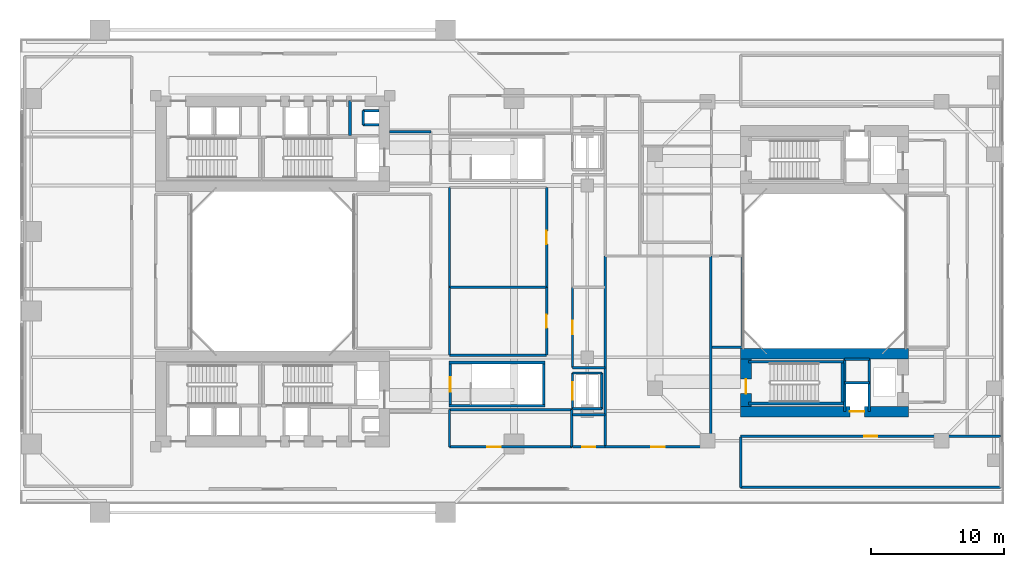
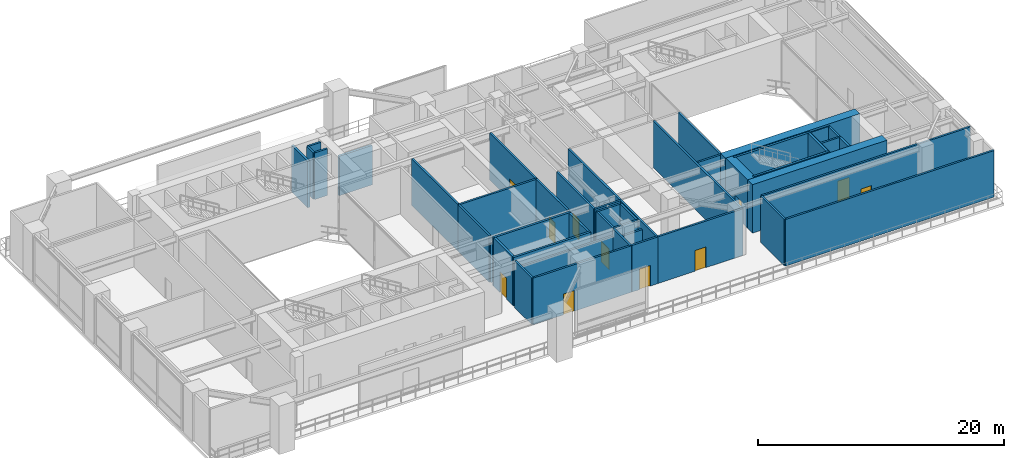
# One storey, part 13 of 19: 45 walls, 11 doors, 11 openings.
"""IFC4 building model written with IfcOpenShell, lengths in metres."""

from ifc_helpers import new_model, si_unit, direction, frame, frame_2d, origin, place, context, subcontext, project, spatial, rectangle, extrude, source, transform, mapped, material, layer, layer_set, type_object, element, fill, save


model = new_model("IFC4")

# Units and contexts
model_context = context("Model", 3, precision=1e-05, world=origin(), true_north=direction((0.0, 1.0)))
body_context = subcontext(model_context, "Body", "Model", "MODEL_VIEW")
ifc_project = project(units=[si_unit("LENGTHUNIT", "METRE"), si_unit("AREAUNIT", "SQUARE_METRE"), si_unit("VOLUMEUNIT", "CUBIC_METRE"), si_unit("PLANEANGLEUNIT", "RADIAN"), si_unit("MASSUNIT", "GRAM", prefix="KILO"), si_unit("THERMODYNAMICTEMPERATUREUNIT", "KELVIN"), si_unit("POWERUNIT", "WATT")], contexts=[model_context])

# Site, building, storey
site_placement = place(None, origin())
site = spatial("IfcSite", under=ifc_project, at=site_placement, CompositionType="ELEMENT")
building_placement = place(site_placement, origin())
building = spatial("IfcBuilding", under=site, at=building_placement, Name="Qiaomeng Ring Towers", CompositionType="ELEMENT")
storey_placement = place(building_placement, frame((0.0, 0.0, 18.199951171875)))
storey = spatial("IfcBuildingStorey", under=building, at=storey_placement, Name="L04", CompositionType="ELEMENT", Elevation=18.199951171875)

# Walls
ifc_material_1 = material(Name="Autoclaved aerated concrete block", Category="concrete")
ifc_layer_1 = layer(ifc_material_1, 0.199951171875, Name="Autoclaved aerated concrete block")
ifc_layer_set_1 = layer_set([ifc_layer_1], Name="Autoclaved aerated concrete block")
wall_type_1 = type_object("IfcWallType", Name="ARC-WL-PW1", PredefinedType="PARTITIONING", material=ifc_layer_set_1)
wall_1_placement = place(storey_placement, frame((27.800048828125, 33.5, 0.0), z_axis=(0.0, 0.0, 1.0), x_axis=(1.0, 0.0, 0.0)))
element("IfcWall", 1, at=wall_1_placement, inside=storey, type_object=wall_type_1, Name="L04 Interior Wall PW1", PredefinedType="PARTITIONING", context=body_context, shape_type="SweptSolid", body=[
    extrude(rectangle(XDim=3.099853515625, YDim=0.199951171875, at=frame_2d((1.5498046875, 0.0))), origin(), (0.0, 0.0, 1.0), 3.9150390625),
])
wall_2_placement = place(storey_placement, frame((24.820068359375, 33.199951171875, 0.0), z_axis=(0.0, 0.0, 1.0), x_axis=(0.0, 1.0, 0.0)))
element("IfcWall", 2, at=wall_2_placement, inside=storey, type_object=wall_type_1, Name="L04 Interior Wall PW1", PredefinedType="PARTITIONING", context=body_context, shape_type="SweptSolid", body=[
    extrude(rectangle(XDim=2.650146484375, YDim=0.199951171875, at=frame_2d((1.3251953125, 0.0))), origin(), (0.0, 0.0, 1.0), 4.6201171875),
])
ifc_layer_2 = layer(ifc_material_1, 0.179931640625, Name="Autoclaved aerated concrete block")
ifc_layer_set_2 = layer_set([ifc_layer_2], Name="Autoclaved aerated concrete block")
wall_type_2 = type_object("IfcWallType", Name="ARC-WL-PW2", PredefinedType="PARTITIONING", material=ifc_layer_set_2)
wall_3_placement = place(storey_placement, frame((32.300048828125, 21.800048828125, 0.0), z_axis=(0.0, 0.0, 1.0), x_axis=(1.0, 0.0, 0.0)))
element("IfcWall", 3, at=wall_3_placement, inside=storey, type_object=wall_type_2, Name="L04 Interior Wall PW2", PredefinedType="PARTITIONING", context=body_context, shape_type="SweptSolid", body=[
    extrude(rectangle(XDim=7.300048828125, YDim=0.179931640625, at=frame_2d((3.64990234375, 0.0))), origin(), (0.0, 0.0, 1.0), 4.6201171875),
])
wall_4_placement = place(storey_placement, frame((32.300048828125, 21.800048828125, 0.0), z_axis=(0.0, 0.0, 1.0), x_axis=(0.0, 1.0, 0.0)))
element("IfcWall", 4, at=wall_4_placement, inside=storey, type_object=wall_type_2, Name="L04 Interior Wall PW2", PredefinedType="PARTITIONING", context=body_context, shape_type="SweptSolid", body=[
    extrude(rectangle(XDim=7.5, YDim=0.179931640625, at=frame_2d((3.75, 0.0))), origin(), (0.0, 0.0, 1.0), 4.6201171875),
])

# Wall, opening, door
wall_5_placement = place(storey_placement, frame((39.60009765625, 21.800048828125, 0.0), z_axis=(0.0, 0.0, 1.0), x_axis=(0.0, 1.0, 0.0)))
wall_5 = element("IfcWall", 5, at=wall_5_placement, inside=storey, type_object=wall_type_2, Name="L04 Interior Wall PW2", PredefinedType="PARTITIONING", context=body_context, shape_type="SweptSolid", body=[
    extrude(rectangle(XDim=7.5, YDim=0.179931640625, at=frame_2d((3.75, 0.0))), origin(), (0.0, 0.0, 1.0), 4.6201171875),
])
opening_1_placement = place(wall_5_placement, frame((3.25, 0.0, 0.0)))
opening_1 = element("IfcOpeningElement", 6, at=opening_1_placement, cuts=wall_5, Name="Opening FD4", PredefinedType="OPENING", context=body_context, shape_type="SweptSolid", body=[
    extrude(rectangle(XDim=1.0, YDim=2.050048828125, at=frame_2d((0.5, 1.02490234375))), frame((0.0, 0.099853515625, 0.0), z_axis=(0.0, -1.0, 0.0), x_axis=(1.0, 0.0, 0.0)), (0.0, 0.0, 1.0), 0.199951171875),
])
ifc_material_2 = material(Name="Engineered fire-rated oak timber", Category="wood")
door_type_1 = type_object("IfcDoorType", Name="ARC-DR-FD4", OperationType="NOTDEFINED", PredefinedType="DOOR", material=ifc_material_2)
shared_shape_1 = source(origin(), body_context, "Body", "SweptSolid", [
    extrude(rectangle(XDim=1.0, YDim=2.050048828125, at=frame_2d((0.5, 1.02490234375))), frame((0.0, 0.02490234375, 0.0), z_axis=(0.0, -1.0, 0.0), x_axis=(1.0, 0.0, 0.0)), (0.0, 0.0, 1.0), 0.050048828125),
])
door_1_placement = place(opening_1_placement, origin())
door_1 = element("IfcDoor", 7, at=door_1_placement, inside=storey, type_object=door_type_1, Name="L04 L04 Ultrasound Diagnostic Suite Door", OperationType="SINGLE_SWING_RIGHT", OverallHeight=2.050048828125, OverallWidth=1.0, PredefinedType="DOOR", context=body_context, shape_type="MappedRepresentation", body=[
    mapped(shared_shape_1, transform((0.0, 0.0, 0.0), x_axis=(1.0, 0.0, 0.0), y_axis=(0.0, 1.0, 0.0), z_axis=(0.0, 0.0, 1.0), scale=1.0)),
])
fill(opening_1, door_1)

# Walls
wall_6_placement = place(storey_placement, frame((32.300048828125, 16.699951171875, 0.0), z_axis=(0.0, 0.0, 1.0), x_axis=(1.0, 0.0, 0.0)))
element("IfcWall", 8, at=wall_6_placement, inside=storey, type_object=wall_type_2, Name="L04 Interior Wall PW2", PredefinedType="PARTITIONING", context=body_context, shape_type="SweptSolid", body=[
    extrude(rectangle(XDim=7.300048828125, YDim=0.179931640625, at=frame_2d((3.64990234375, 0.0))), origin(), (0.0, 0.0, 1.0), 3.9150390625),
])
wall_7_placement = place(storey_placement, frame((32.300048828125, 16.699951171875, 0.0), z_axis=(0.0, 0.0, 1.0), x_axis=(0.0, 1.0, 0.0)))
element("IfcWall", 9, at=wall_7_placement, inside=storey, type_object=wall_type_2, Name="L04 Interior Wall PW2", PredefinedType="PARTITIONING", context=body_context, shape_type="SweptSolid", body=[
    extrude(rectangle(XDim=5.10009765625, YDim=0.179931640625, at=frame_2d((2.550048828125, 0.0))), origin(), (0.0, 0.0, 1.0), 4.6201171875),
])

# Wall, opening, door
wall_8_placement = place(storey_placement, frame((39.60009765625, 16.699951171875, 0.0), z_axis=(0.0, 0.0, 1.0), x_axis=(0.0, 1.0, 0.0)))
wall_8 = element("IfcWall", 10, at=wall_8_placement, inside=storey, type_object=wall_type_2, Name="L04 Interior Wall PW2", PredefinedType="PARTITIONING", context=body_context, shape_type="SweptSolid", body=[
    extrude(rectangle(XDim=5.10009765625, YDim=0.179931640625, at=frame_2d((2.550048828125, 0.0))), origin(), (0.0, 0.0, 1.0), 4.6201171875),
])
opening_2_placement = place(wall_8_placement, frame((2.050048828125, 0.0, 0.0)))
opening_2 = element("IfcOpeningElement", 11, at=opening_2_placement, cuts=wall_8, Name="Opening FD4", PredefinedType="OPENING", context=body_context, shape_type="SweptSolid", body=[
    extrude(rectangle(XDim=1.0, YDim=2.050048828125, at=frame_2d((0.5, 1.02490234375))), frame((0.0, 0.099853515625, 0.0), z_axis=(0.0, -1.0, 0.0), x_axis=(1.0, 0.0, 0.0)), (0.0, 0.0, 1.0), 0.199951171875),
])
door_2_placement = place(opening_2_placement, origin())
door_2 = element("IfcDoor", 12, at=door_2_placement, inside=storey, type_object=door_type_1, Name="L04 L04 Clinical Pathology Laboratory Door", OperationType="SINGLE_SWING_RIGHT", OverallHeight=2.050048828125, OverallWidth=1.0, PredefinedType="DOOR", context=body_context, shape_type="MappedRepresentation", body=[
    mapped(shared_shape_1, transform((0.0, 0.0, 0.0), x_axis=(1.0, 0.0, 0.0), y_axis=(0.0, 1.0, 0.0), z_axis=(0.0, 0.0, 1.0), scale=1.0)),
])
fill(opening_2, door_2)

wall_9_placement = place(storey_placement, frame((32.300048828125, 9.800048828125, 0.0), z_axis=(0.0, 0.0, 1.0), x_axis=(1.0, 0.0, 0.0)))
wall_9 = element("IfcWall", 13, at=wall_9_placement, inside=storey, type_object=wall_type_2, Name="L04 Interior Wall PW2", PredefinedType="PARTITIONING", context=body_context, shape_type="SweptSolid", body=[
    extrude(rectangle(XDim=9.199951171875, YDim=0.179931640625, at=frame_2d((4.60009765625, 0.0))), origin(), (0.0, 0.0, 1.0), 4.6201171875),
])
opening_3_placement = place(wall_9_placement, frame((2.85009765625, 0.0, 0.0)))
opening_3 = element("IfcOpeningElement", 14, at=opening_3_placement, cuts=wall_9, Name="Opening FD4", PredefinedType="OPENING", context=body_context, shape_type="SweptSolid", body=[
    extrude(rectangle(XDim=1.0, YDim=2.050048828125, at=frame_2d((0.5, 1.02490234375))), frame((0.0, 0.099853515625, 0.0), z_axis=(0.0, -1.0, 0.0), x_axis=(1.0, 0.0, 0.0)), (0.0, 0.0, 1.0), 0.199951171875),
])
door_3_placement = place(opening_3_placement, origin())
door_3 = element("IfcDoor", 15, at=door_3_placement, inside=storey, type_object=door_type_1, Name="L04 L04 Dermatology Treatment Room Door", OperationType="SINGLE_SWING_LEFT", OverallHeight=2.050048828125, OverallWidth=1.0, PredefinedType="DOOR", context=body_context, shape_type="MappedRepresentation", body=[
    mapped(shared_shape_1, transform((0.0, 0.0, 0.0), x_axis=(1.0, 0.0, 0.0), y_axis=(0.0, 1.0, 0.0), z_axis=(0.0, 0.0, 1.0), scale=1.0)),
])
fill(opening_3, door_3)

# Walls
wall_10_placement = place(storey_placement, frame((32.300048828125, 12.60009765625, 0.0), z_axis=(0.0, 0.0, 1.0), x_axis=(1.0, 0.0, 0.0)))
element("IfcWall", 16, at=wall_10_placement, inside=storey, type_object=wall_type_2, Name="L04 Interior Wall PW2", PredefinedType="PARTITIONING", context=body_context, shape_type="SweptSolid", body=[
    extrude(rectangle(XDim=9.199951171875, YDim=0.179931640625, at=frame_2d((4.60009765625, 0.0))), origin(), (0.0, 0.0, 1.0), 3.9150390625),
])
for number, where, z_axis, x_axis, name in (
    (17, (32.300048828125, 9.800048828125, 0.0), (0.0, 0.0, 1.0), (0.0, 1.0, 0.0), "L04 Interior Wall PW2"),
    (18, (41.5, 9.800048828125, 0.0), (0.0, 0.0, 1.0), (0.0, 1.0, 0.0), "L04 Interior Wall PW2"),
):
    element("IfcWall", number, at=place(storey_placement, frame(where, z_axis=z_axis, x_axis=x_axis)), inside=storey, type_object=wall_type_2, Name=name, PredefinedType="PARTITIONING", context=body_context, shape_type="SweptSolid", body=[
        extrude(rectangle(XDim=2.800048828125, YDim=0.179931640625, at=frame_2d((1.39990234375, 0.0))), origin(), (0.0, 0.0, 1.0), 4.6201171875),
    ])

# Wall, opening, door
wall_11_placement = place(storey_placement, frame((44.0, 9.800048828125, 0.0), z_axis=(0.0, 0.0, 1.0), x_axis=(1.0, 0.0, 0.0)))
wall_11 = element("IfcWall", 19, at=wall_11_placement, inside=storey, type_object=wall_type_2, Name="L04 Interior Wall PW2", PredefinedType="PARTITIONING", context=body_context, shape_type="SweptSolid", body=[
    extrude(rectangle(XDim=7.949951171875, YDim=0.179931640625, at=frame_2d((3.97509765625, 0.0))), origin(), (0.0, 0.0, 1.0), 4.6201171875),
])
opening_4_placement = place(wall_11_placement, frame((3.47509765625, 0.0, 0.0)))
opening_4 = element("IfcOpeningElement", 20, at=opening_4_placement, cuts=wall_11, Name="Opening FD4", PredefinedType="OPENING", context=body_context, shape_type="SweptSolid", body=[
    extrude(rectangle(XDim=1.0, YDim=2.050048828125, at=frame_2d((0.5, 1.02490234375))), frame((0.0, 0.099853515625, 0.0), z_axis=(0.0, -1.0, 0.0), x_axis=(1.0, 0.0, 0.0)), (0.0, 0.0, 1.0), 0.199951171875),
])
door_4_placement = place(opening_4_placement, origin())
door_4 = element("IfcDoor", 21, at=door_4_placement, inside=storey, type_object=door_type_1, Name="L04 L04 Maternal Child Health Clinic Door", OperationType="SINGLE_SWING_RIGHT", OverallHeight=2.050048828125, OverallWidth=1.0, PredefinedType="DOOR", context=body_context, shape_type="MappedRepresentation", body=[
    mapped(shared_shape_1, transform((0.0, 0.0, 0.0), x_axis=(1.0, 0.0, 0.0), y_axis=(0.0, 1.0, 0.0), z_axis=(0.0, 0.0, 1.0), scale=1.0)),
])
fill(opening_4, door_4)

# Walls
for number, where, z_axis, x_axis, name in (
    (22, (44.0, 9.800048828125, 0.0), (0.0, 0.0, 1.0), (0.0, 1.0, 0.0), "L04 Interior Wall PW2"),
    (23, (51.949951171875, 9.800048828125, 0.0), (0.0, 0.0, 1.0), (0.0, 1.0, 0.0), "L04 Interior Wall PW2"),
):
    element("IfcWall", number, at=place(storey_placement, frame(where, z_axis=z_axis, x_axis=x_axis)), inside=storey, type_object=wall_type_2, Name=name, PredefinedType="PARTITIONING", context=body_context, shape_type="SweptSolid", body=[
        extrude(rectangle(XDim=14.349853515625, YDim=0.179931640625, at=frame_2d((7.1748046875, 0.0))), origin(), (0.0, 0.0, 1.0), 4.6201171875),
    ])
wall_12_placement = place(storey_placement, frame((41.550048828125, 15.75, 0.0), z_axis=(0.0, 0.0, 1.0), x_axis=(1.0, 0.0, 0.0)))
element("IfcWall", 24, at=wall_12_placement, inside=storey, type_object=wall_type_2, Name="L04 Interior Wall PW2", PredefinedType="PARTITIONING", context=body_context, shape_type="SweptSolid", body=[
    extrude(rectangle(XDim=2.449951171875, YDim=0.179931640625, at=frame_2d((1.22509765625, 0.0))), origin(), (0.0, 0.0, 1.0), 4.6201171875),
])

# Wall, opening, door
wall_13_placement = place(storey_placement, frame((41.550048828125, 15.75, 0.0), z_axis=(0.0, 0.0, 1.0), x_axis=(0.0, 1.0, 0.0)))
wall_13 = element("IfcWall", 25, at=wall_13_placement, inside=storey, type_object=wall_type_2, Name="L04 Interior Wall PW2", PredefinedType="PARTITIONING", context=body_context, shape_type="SweptSolid", body=[
    extrude(rectangle(XDim=6.050048828125, YDim=0.179931640625, at=frame_2d((3.02490234375, 0.0))), origin(), (0.0, 0.0, 1.0), 4.6201171875),
])
opening_5_placement = place(wall_13_placement, frame((2.52490234375, 0.0, 0.0)))
opening_5 = element("IfcOpeningElement", 26, at=opening_5_placement, cuts=wall_13, Name="Opening FD4", PredefinedType="OPENING", context=body_context, shape_type="SweptSolid", body=[
    extrude(rectangle(XDim=1.0, YDim=2.050048828125, at=frame_2d((0.5, 1.02490234375))), frame((0.0, 0.099853515625, 0.0), z_axis=(0.0, -1.0, 0.0), x_axis=(1.0, 0.0, 0.0)), (0.0, 0.0, 1.0), 0.199951171875),
])
door_5_placement = place(opening_5_placement, origin())
door_5 = element("IfcDoor", 27, at=door_5_placement, inside=storey, type_object=door_type_1, Name="L04 L04 Preventive Rehabilitation Suite Door", OperationType="SINGLE_SWING_LEFT", OverallHeight=2.050048828125, OverallWidth=1.0, PredefinedType="DOOR", context=body_context, shape_type="MappedRepresentation", body=[
    mapped(shared_shape_1, transform((0.0, 0.0, 0.0), x_axis=(1.0, 0.0, 0.0), y_axis=(0.0, 1.0, 0.0), z_axis=(0.0, 0.0, 1.0), scale=1.0)),
])
fill(opening_5, door_5)

wall_14_placement = place(storey_placement, frame((41.550048828125, 9.800048828125, 0.0), z_axis=(0.0, 0.0, 1.0), x_axis=(1.0, 0.0, 0.0)))
wall_14 = element("IfcWall", 28, at=wall_14_placement, inside=storey, type_object=wall_type_2, Name="L04 Interior Wall PW2", PredefinedType="PARTITIONING", context=body_context, shape_type="SweptSolid", body=[
    extrude(rectangle(XDim=2.449951171875, YDim=0.179931640625, at=frame_2d((1.22509765625, 0.0))), origin(), (0.0, 0.0, 1.0), 4.6201171875),
])
opening_6_placement = place(wall_14_placement, frame((0.72509765625, 0.0, 0.0)))
opening_6 = element("IfcOpeningElement", 29, at=opening_6_placement, cuts=wall_14, Name="Opening FD4", PredefinedType="OPENING", context=body_context, shape_type="SweptSolid", body=[
    extrude(rectangle(XDim=1.0, YDim=2.050048828125, at=frame_2d((0.5, 1.02490234375))), frame((0.0, 0.099853515625, 0.0), z_axis=(0.0, -1.0, 0.0), x_axis=(1.0, 0.0, 0.0)), (0.0, 0.0, 1.0), 0.199951171875),
])
door_6_placement = place(opening_6_placement, origin())
door_6 = element("IfcDoor", 30, at=door_6_placement, inside=storey, type_object=door_type_1, Name="L04 L04 Medical Records Lounge Door", OperationType="SINGLE_SWING_RIGHT", OverallHeight=2.050048828125, OverallWidth=1.0, PredefinedType="DOOR", context=body_context, shape_type="MappedRepresentation", body=[
    mapped(shared_shape_1, transform((0.0, 0.0, 0.0), x_axis=(1.0, 0.0, 0.0), y_axis=(0.0, 1.0, 0.0), z_axis=(0.0, 0.0, 1.0), scale=1.0)),
])
fill(opening_6, door_6)

# Walls
wall_15_placement = place(storey_placement, frame((41.550048828125, 12.199951171875, 0.0), z_axis=(0.0, 0.0, 1.0), x_axis=(1.0, 0.0, 0.0)))
element("IfcWall", 31, at=wall_15_placement, inside=storey, type_object=wall_type_2, Name="L04 Interior Wall PW2", PredefinedType="PARTITIONING", context=body_context, shape_type="SweptSolid", body=[
    extrude(rectangle(XDim=2.449951171875, YDim=0.179931640625, at=frame_2d((1.22509765625, 0.0))), origin(), (0.0, 0.0, 1.0), 3.9150390625),
])
wall_16_placement = place(storey_placement, frame((52.050048828125, 17.300048828125, 0.0), z_axis=(0.0, 0.0, 1.0), x_axis=(1.0, 0.0, 0.0)))
element("IfcWall", 32, at=wall_16_placement, inside=storey, type_object=wall_type_2, Name="L04 Interior Wall PW2", PredefinedType="PARTITIONING", context=body_context, shape_type="SweptSolid", body=[
    extrude(rectangle(XDim=2.25, YDim=0.179931640625, at=frame_2d((1.125, 0.0))), origin(), (0.0, 0.0, 1.0), 4.6201171875),
])
wall_17_placement = place(storey_placement, frame((54.300048828125, 17.300048828125, 0.0), z_axis=(0.0, 0.0, 1.0), x_axis=(0.0, 1.0, 0.0)))
element("IfcWall", 33, at=wall_17_placement, inside=storey, type_object=wall_type_2, Name="L04 Interior Wall PW2", PredefinedType="PARTITIONING", context=body_context, shape_type="SweptSolid", body=[
    extrude(rectangle(XDim=6.849853515625, YDim=0.179931640625, at=frame_2d((3.4248046875, 0.0))), origin(), (0.0, 0.0, 1.0), 4.6201171875),
])

# Wall, opening, door
wall_18_placement = place(storey_placement, frame((54.199951171875, 10.60009765625, 0.0), z_axis=(0.0, 0.0, 1.0), x_axis=(1.0, 0.0, 0.0)))
wall_18 = element("IfcWall", 34, at=wall_18_placement, inside=storey, type_object=wall_type_2, Name="L04 Interior Wall PW2", PredefinedType="PARTITIONING", context=body_context, shape_type="SweptSolid", body=[
    extrude(rectangle(XDim=19.550048828125, YDim=0.179931640625, at=frame_2d((9.77490234375, 0.0))), origin(), (0.0, 0.0, 1.0), 4.6201171875),
])
opening_7_placement = place(wall_18_placement, frame((9.27490234375, 0.0, 0.0)))
opening_7 = element("IfcOpeningElement", 35, at=opening_7_placement, cuts=wall_18, Name="Opening FD4", PredefinedType="OPENING", context=body_context, shape_type="SweptSolid", body=[
    extrude(rectangle(XDim=1.0, YDim=2.050048828125, at=frame_2d((0.5, 1.02490234375))), frame((0.0, 0.099853515625, 0.0), z_axis=(0.0, -1.0, 0.0), x_axis=(1.0, 0.0, 0.0)), (0.0, 0.0, 1.0), 0.199951171875),
])
door_7_placement = place(opening_7_placement, origin())
door_7 = element("IfcDoor", 36, at=door_7_placement, inside=storey, type_object=door_type_1, Name="L04 L04 Wellness Reading Lounge Door", OperationType="SINGLE_SWING_RIGHT", OverallHeight=2.050048828125, OverallWidth=1.0, PredefinedType="DOOR", context=body_context, shape_type="MappedRepresentation", body=[
    mapped(shared_shape_1, transform((0.0, 0.0, 0.0), x_axis=(1.0, 0.0, 0.0), y_axis=(0.0, 1.0, 0.0), z_axis=(0.0, 0.0, 1.0), scale=1.0)),
])
fill(opening_7, door_7)

# Walls
wall_19_placement = place(storey_placement, frame((54.199951171875, 6.75, 0.0), z_axis=(0.0, 0.0, 1.0), x_axis=(1.0, 0.0, 0.0)))
element("IfcWall", 37, at=wall_19_placement, inside=storey, type_object=wall_type_2, Name="L04 Interior Wall PW2", PredefinedType="PARTITIONING", context=body_context, shape_type="SweptSolid", body=[
    extrude(rectangle(XDim=19.550048828125, YDim=0.179931640625, at=frame_2d((9.77490234375, 0.0))), origin(), (0.0, 0.0, 1.0), 4.6201171875),
])
wall_20_placement = place(storey_placement, frame((54.199951171875, 6.75, 0.0), z_axis=(0.0, 0.0, 1.0), x_axis=(0.0, 1.0, 0.0)))
element("IfcWall", 38, at=wall_20_placement, inside=storey, type_object=wall_type_2, Name="L04 Interior Wall PW2", PredefinedType="PARTITIONING", context=body_context, shape_type="SweptSolid", body=[
    extrude(rectangle(XDim=3.800048828125, YDim=0.179931640625, at=frame_2d((1.89990234375, 0.0))), origin(), (0.0, 0.0, 1.0), 4.6201171875),
])
ifc_material_3 = material(Name="Concrete C40", Category="concrete")
ifc_layer_3 = layer(ifc_material_3, 0.199951171875, Name="Concrete C40")
ifc_layer_set_3 = layer_set([ifc_layer_3], Name="Concrete C40")
wall_type_3 = type_object("IfcWallType", Name="STR-WL-STSHAFT", PredefinedType="SHEAR", material=ifc_layer_set_3)
wall_21_placement = place(storey_placement, frame((25.800048828125, 34.02001953125, 0.0), z_axis=(0.0, 0.0, 1.0), x_axis=(0.0, 1.0, 0.0)))
element("IfcWall", 39, at=wall_21_placement, inside=storey, type_object=wall_type_3, Name="L04 Riser RSR1 West Shaft Wall N", PredefinedType="SHEAR", context=body_context, shape_type="SweptSolid", body=[
    extrude(rectangle(XDim=1.06005859375, YDim=0.179931640625, at=frame_2d((0.530029296875, 0.0))), origin(), (0.0, 0.0, 1.0), 4.6201171875),
])
for number, where, z_axis, x_axis, name in (
    (40, (25.800048828125, 35.080078125, 0.0), (0.0, 0.0, 1.0), (1.0, 0.0, 0.0), "L04 Riser RSR1 North Shaft Wall N"),
    (41, (25.800048828125, 34.02001953125, 0.0), (0.0, 0.0, 1.0), (1.0, 0.0, 0.0), "L04 Riser RSR1 South Shaft Wall N"),
):
    element("IfcWall", number, at=place(storey_placement, frame(where, z_axis=z_axis, x_axis=x_axis)), inside=storey, type_object=wall_type_3, Name=name, PredefinedType="SHEAR", context=body_context, shape_type="SweptSolid", body=[
        extrude(rectangle(XDim=1.199951171875, YDim=0.179931640625, at=frame_2d((0.60009765625, 0.0))), origin(), (0.0, 0.0, 1.0), 4.6201171875),
    ])
for number, where, z_axis, x_axis, name in (
    (42, (62.02001953125, 12.449951171875, 0.0), (0.0, 0.0, 1.0), (0.0, 1.0, 0.0), "L04 Companion Lift Shaft West Wall S"),
    (43, (63.8798828125, 12.449951171875, 0.0), (0.0, 0.0, 1.0), (0.0, 1.0, 0.0), "L04 Companion Lift Shaft East Wall S"),
):
    element("IfcWall", number, at=place(storey_placement, frame(where, z_axis=z_axis, x_axis=x_axis)), inside=storey, type_object=wall_type_3, Name=name, PredefinedType="SHEAR", context=body_context, shape_type="SweptSolid", body=[
        extrude(rectangle(XDim=3.949951171875, YDim=0.179931640625, at=frame_2d((1.97509765625, 0.0))), origin(), (0.0, 0.0, 1.0), 4.6201171875),
    ])
for number, where, z_axis, x_axis, name in (
    (44, (62.02001953125, 14.6201171875, 0.0), (0.0, 0.0, 1.0), (1.0, 0.0, 0.0), "L04 Companion Lift Shaft Divider Wall S"),
    (45, (62.02001953125, 16.39990234375, 0.0), (0.0, 0.0, 1.0), (1.0, 0.0, 0.0), "L04 Companion Riser Shaft Back Wall S"),
):
    element("IfcWall", number, at=place(storey_placement, frame(where, z_axis=z_axis, x_axis=x_axis)), inside=storey, type_object=wall_type_3, Name=name, PredefinedType="SHEAR", context=body_context, shape_type="SweptSolid", body=[
        extrude(rectangle(XDim=1.85986328125, YDim=0.179931640625, at=frame_2d((0.929931640625, 0.0))), origin(), (0.0, 0.0, 1.0), 4.6201171875),
    ])

# Wall, opening, door
wall_22_placement = place(storey_placement, frame((41.550048828125, 12.64990234375, 0.0), z_axis=(0.0, 0.0, 1.0), x_axis=(0.0, 1.0, 0.0)))
wall_22 = element("IfcWall", 46, at=wall_22_placement, inside=storey, type_object=wall_type_3, Name="L04 Medical Lift LP10 West Shaft Wall", PredefinedType="SHEAR", context=body_context, shape_type="SweptSolid", body=[
    extrude(rectangle(XDim=2.7001953125, YDim=0.179931640625, at=frame_2d((1.35009765625, 0.0))), origin(), (0.0, 0.0, 1.0), 4.6201171875),
])
opening_8_placement = place(wall_22_placement, frame((0.699951171875, 0.0, 0.0)))
opening_8 = element("IfcOpeningElement", 47, at=opening_8_placement, cuts=wall_22, Name="Opening LD2", PredefinedType="OPENING", context=body_context, shape_type="SweptSolid", body=[
    extrude(rectangle(XDim=1.300048828125, YDim=2.050048828125, at=frame_2d((0.64990234375, 1.02490234375))), frame((0.0, 0.099853515625, 0.0), z_axis=(0.0, -1.0, 0.0), x_axis=(1.0, 0.0, 0.0)), (0.0, 0.0, 1.0), 0.199951171875),
])
ifc_material_4 = material(Name="Stainless steel 316", Category="steel")
door_type_2 = type_object("IfcDoorType", Name="ARC-DR-LD2", OperationType="NOTDEFINED", PredefinedType="DOOR", material=ifc_material_4)
shared_shape_2 = source(origin(), body_context, "Body", "SweptSolid", [
    extrude(rectangle(XDim=1.300048828125, YDim=2.050048828125, at=frame_2d((0.64990234375, 1.02490234375))), frame((0.0, 0.02490234375, 0.0), z_axis=(0.0, -1.0, 0.0), x_axis=(1.0, 0.0, 0.0)), (0.0, 0.0, 1.0), 0.050048828125),
])
door_8_placement = place(opening_8_placement, origin())
door_8 = element("IfcDoor", 48, at=door_8_placement, inside=storey, type_object=door_type_2, Name="L04 Medical Lift LP10 Landing Door", OperationType="SLIDING_TO_LEFT", OverallHeight=2.050048828125, OverallWidth=1.300048828125, PredefinedType="DOOR", context=body_context, shape_type="MappedRepresentation", body=[
    mapped(shared_shape_2, transform((0.0, 0.0, 0.0), x_axis=(1.0, 0.0, 0.0), y_axis=(0.0, 1.0, 0.0), z_axis=(0.0, 0.0, 1.0), scale=1.0)),
])
fill(opening_8, door_8)

# Walls
wall_23_placement = place(storey_placement, frame((43.75, 12.64990234375, 0.0), z_axis=(0.0, 0.0, 1.0), x_axis=(0.0, 1.0, 0.0)))
element("IfcWall", 49, at=wall_23_placement, inside=storey, type_object=wall_type_3, Name="L04 Medical Lift LP10 East Shaft Wall", PredefinedType="SHEAR", context=body_context, shape_type="SweptSolid", body=[
    extrude(rectangle(XDim=2.7001953125, YDim=0.179931640625, at=frame_2d((1.35009765625, 0.0))), origin(), (0.0, 0.0, 1.0), 4.6201171875),
])
for number, where, z_axis, x_axis, name in (
    (50, (41.550048828125, 12.64990234375, 0.0), (0.0, 0.0, 1.0), (1.0, 0.0, 0.0), "L04 Medical Lift LP10 South Shaft Wall"),
    (51, (41.550048828125, 15.35009765625, 0.0), (0.0, 0.0, 1.0), (1.0, 0.0, 0.0), "L04 Medical Lift LP10 North Shaft Wall"),
):
    element("IfcWall", number, at=place(storey_placement, frame(where, z_axis=z_axis, x_axis=x_axis)), inside=storey, type_object=wall_type_3, Name=name, PredefinedType="SHEAR", context=body_context, shape_type="SweptSolid", body=[
        extrude(rectangle(XDim=2.199951171875, YDim=0.179931640625, at=frame_2d((1.10009765625, 0.0))), origin(), (0.0, 0.0, 1.0), 4.6201171875),
    ])
for number, where, z_axis, x_axis, name in (
    (52, (54.800048828125, 13.06005859375, 0.0), (0.0, 0.0, 1.0), (1.0, 0.0, 0.0), "L04 Stair ST6 South Shaft Shear Wall"),
    (53, (54.800048828125, 16.199951171875, 0.0), (0.0, 0.0, 1.0), (1.0, 0.0, 0.0), "L04 Stair ST6 North Shaft Shear Wall"),
):
    element("IfcWall", number, at=place(storey_placement, frame(where, z_axis=z_axis, x_axis=x_axis)), inside=storey, type_object=wall_type_3, Name=name, PredefinedType="SHEAR", context=body_context, shape_type="SweptSolid", body=[
        extrude(rectangle(XDim=7.14990234375, YDim=0.199951171875, at=frame_2d((3.574951171875, 0.0))), origin(), (0.0, 0.0, 1.0), 4.800048828125),
    ])
wall_24_placement = place(storey_placement, frame((61.85009765625, 13.159912109375, 0.0), z_axis=(0.0, 0.0, 1.0), x_axis=(0.0, 1.0, 0.0)))
element("IfcWall", 54, at=wall_24_placement, inside=storey, type_object=wall_type_3, Name="L04 Stair ST6 East Shaft Shear Wall", PredefinedType="SHEAR", context=body_context, shape_type="SweptSolid", body=[
    extrude(rectangle(XDim=2.940185546875, YDim=0.199951171875, at=frame_2d((1.47021484375, 0.0))), origin(), (0.0, 0.0, 1.0), 4.800048828125),
])
for number, where, z_axis, x_axis, name in (
    (55, (32.25, 12.89990234375, 0.0), (0.0, 0.0, 1.0), (1.0, 0.0, 0.0), "L04 Stair ST8 South Shaft Shear Wall"),
    (56, (32.25, 16.139892578125, 0.0), (0.0, 0.0, 1.0), (1.0, 0.0, 0.0), "L04 Stair ST8 North Shaft Shear Wall"),
):
    element("IfcWall", number, at=place(storey_placement, frame(where, z_axis=z_axis, x_axis=x_axis)), inside=storey, type_object=wall_type_3, Name=name, PredefinedType="SHEAR", context=body_context, shape_type="SweptSolid", body=[
        extrude(rectangle(XDim=7.25, YDim=0.199951171875, at=frame_2d((3.625, 0.0))), origin(), (0.0, 0.0, 1.0), 4.800048828125),
    ])

# Wall, opening, door
wall_25_placement = place(storey_placement, frame((32.35009765625, 13.0, 0.0), z_axis=(0.0, 0.0, 1.0), x_axis=(0.0, 1.0, 0.0)))
wall_25 = element("IfcWall", 57, at=wall_25_placement, inside=storey, type_object=wall_type_3, Name="L04 Stair ST8 West Shaft Shear Wall", PredefinedType="SHEAR", context=body_context, shape_type="SweptSolid", body=[
    extrude(rectangle(XDim=3.0400390625, YDim=0.199951171875, at=frame_2d((1.52001953125, 0.0))), origin(), (0.0, 0.0, 1.0), 4.800048828125),
])
opening_9_placement = place(wall_25_placement, frame((0.949951171875, 0.0, 0.0)))
opening_9 = element("IfcOpeningElement", 58, at=opening_9_placement, cuts=wall_25, Name="Opening FD3", PredefinedType="OPENING", context=body_context, shape_type="SweptSolid", body=[
    extrude(rectangle(XDim=1.10009765625, YDim=2.050048828125, at=frame_2d((0.550048828125, 1.02490234375))), frame((0.0, 0.10986328125, 0.0), z_axis=(0.0, -1.0, 0.0), x_axis=(1.0, 0.0, 0.0)), (0.0, 0.0, 1.0), 0.219970703125),
])
ifc_material_5 = material(Name="Galvanised steel", Category="steel")
door_type_3 = type_object("IfcDoorType", Name="ARC-DR-FD3", OperationType="NOTDEFINED", PredefinedType="DOOR", material=ifc_material_5)
shared_shape_3 = source(origin(), body_context, "Body", "SweptSolid", [
    extrude(rectangle(XDim=1.10009765625, YDim=2.050048828125, at=frame_2d((0.550048828125, 1.02490234375))), frame((0.0, 0.02490234375, 0.0), z_axis=(0.0, -1.0, 0.0), x_axis=(1.0, 0.0, 0.0)), (0.0, 0.0, 1.0), 0.050048828125),
])
door_9_placement = place(opening_9_placement, origin())
door_9 = element("IfcDoor", 59, at=door_9_placement, inside=storey, type_object=door_type_3, Name="L04 Podium Stair ST8 Exit Door", OperationType="SINGLE_SWING_LEFT", OverallHeight=2.050048828125, OverallWidth=1.10009765625, PredefinedType="DOOR", context=body_context, shape_type="MappedRepresentation", body=[
    mapped(shared_shape_3, transform((0.0, 0.0, 0.0), x_axis=(1.0, 0.0, 0.0), y_axis=(0.0, 1.0, 0.0), z_axis=(0.0, 0.0, 1.0), scale=1.0)),
])
fill(opening_9, door_9)

# Wall
wall_26_placement = place(storey_placement, frame((39.39990234375, 13.0, 0.0), z_axis=(0.0, 0.0, 1.0), x_axis=(0.0, 1.0, 0.0)))
element("IfcWall", 60, at=wall_26_placement, inside=storey, type_object=wall_type_3, Name="L04 Stair ST8 East Shaft Shear Wall", PredefinedType="SHEAR", context=body_context, shape_type="SweptSolid", body=[
    extrude(rectangle(XDim=3.0400390625, YDim=0.199951171875, at=frame_2d((1.52001953125, 0.0))), origin(), (0.0, 0.0, 1.0), 4.800048828125),
])

# Wall, opening, door
ifc_material_6 = material(Name="Concrete C60", Category="concrete")
ifc_layer_4 = layer(ifc_material_6, 0.800048828125, Name="Concrete C60")
ifc_layer_set_4 = layer_set([ifc_layer_4], Name="Concrete C60")
wall_type_4 = type_object("IfcWallType", Name="STR-WL-SW1", PredefinedType="SHEAR", material=ifc_layer_set_4)
wall_27_placement = place(storey_placement, frame((54.199951171875, 12.449951171875, 0.0), z_axis=(0.0, 0.0, 1.0), x_axis=(1.0, 0.0, 0.0)))
wall_27 = element("IfcWall", 61, at=wall_27_placement, inside=storey, type_object=wall_type_4, Name="L04 T2SC south core shear wall", PredefinedType="SHEAR", context=body_context, shape_type="SweptSolid", body=[
    extrude(rectangle(XDim=12.60009765625, YDim=0.800048828125, at=frame_2d((6.300048828125, 0.0))), origin(), (0.0, 0.0, 1.0), 4.800048828125),
])
opening_10_placement = place(wall_27_placement, frame((8.199951171875, 0.0, 0.0)))
opening_10 = element("IfcOpeningElement", 62, at=opening_10_placement, cuts=wall_27, Name="Opening LD1", PredefinedType="OPENING", context=body_context, shape_type="SweptSolid", body=[
    extrude(rectangle(XDim=1.10009765625, YDim=2.050048828125, at=frame_2d((0.550048828125, 1.02490234375))), frame((0.0, 0.409912109375, 0.0), z_axis=(0.0, -1.0, 0.0), x_axis=(1.0, 0.0, 0.0)), (0.0, 0.0, 1.0), 0.820068359375),
])
door_type_4 = type_object("IfcDoorType", Name="ARC-DR-LD1", OperationType="NOTDEFINED", PredefinedType="DOOR", material=ifc_material_4)
door_10_placement = place(opening_10_placement, origin())
door_10 = element("IfcDoor", 63, at=door_10_placement, inside=storey, type_object=door_type_4, Name="L04 Companion Lift LP8 Landing Door", OperationType="SLIDING_TO_RIGHT", OverallHeight=2.050048828125, OverallWidth=1.10009765625, PredefinedType="DOOR", context=body_context, shape_type="MappedRepresentation", body=[
    mapped(shared_shape_3, transform((0.0, 0.0, 0.0), x_axis=(1.0, 0.0, 0.0), y_axis=(0.0, 1.0, 0.0), z_axis=(0.0, 0.0, 1.0), scale=1.0)),
])
fill(opening_10, door_10)

# Wall
wall_28_placement = place(storey_placement, frame((54.199951171875, 16.800048828125, 0.0), z_axis=(0.0, 0.0, 1.0), x_axis=(1.0, 0.0, 0.0)))
element("IfcWall", 64, at=wall_28_placement, inside=storey, type_object=wall_type_4, Name="L04 T2SC north core shear wall", PredefinedType="SHEAR", context=body_context, shape_type="SweptSolid", body=[
    extrude(rectangle(XDim=12.60009765625, YDim=0.800048828125, at=frame_2d((6.300048828125, 0.0))), origin(), (0.0, 0.0, 1.0), 4.800048828125),
])

# Wall, opening, door
wall_29_placement = place(storey_placement, frame((54.60009765625, 12.85009765625, 0.0), z_axis=(0.0, 0.0, 1.0), x_axis=(0.0, 1.0, 0.0)))
wall_29 = element("IfcWall", 65, at=wall_29_placement, inside=storey, type_object=wall_type_4, Name="L04 T2SC west core shear wall", PredefinedType="SHEAR", context=body_context, shape_type="SweptSolid", body=[
    extrude(rectangle(XDim=3.5498046875, YDim=0.800048828125, at=frame_2d((1.77490234375, 0.0))), origin(), (0.0, 0.0, 1.0), 4.800048828125),
])
opening_11_placement = place(wall_29_placement, frame((0.949951171875, 0.0, 0.0)))
opening_11 = element("IfcOpeningElement", 66, at=opening_11_placement, cuts=wall_29, Name="Opening FD3", PredefinedType="OPENING", context=body_context, shape_type="SweptSolid", body=[
    extrude(rectangle(XDim=1.10009765625, YDim=2.050048828125, at=frame_2d((0.550048828125, 1.02490234375))), frame((0.0, 0.409912109375, 0.0), z_axis=(0.0, -1.0, 0.0), x_axis=(1.0, 0.0, 0.0)), (0.0, 0.0, 1.0), 0.820068359375),
])
door_11_placement = place(opening_11_placement, origin())
door_11 = element("IfcDoor", 67, at=door_11_placement, inside=storey, type_object=door_type_3, Name="L04 Stair ST6 Exit Door", OperationType="SINGLE_SWING_LEFT", OverallHeight=2.050048828125, OverallWidth=1.10009765625, PredefinedType="DOOR", context=body_context, shape_type="MappedRepresentation", body=[
    mapped(shared_shape_3, transform((0.0, 0.0, 0.0), x_axis=(1.0, 0.0, 0.0), y_axis=(0.0, 1.0, 0.0), z_axis=(0.0, 0.0, 1.0), scale=1.0)),
])
fill(opening_11, door_11)

save(model, "model.ifc")
